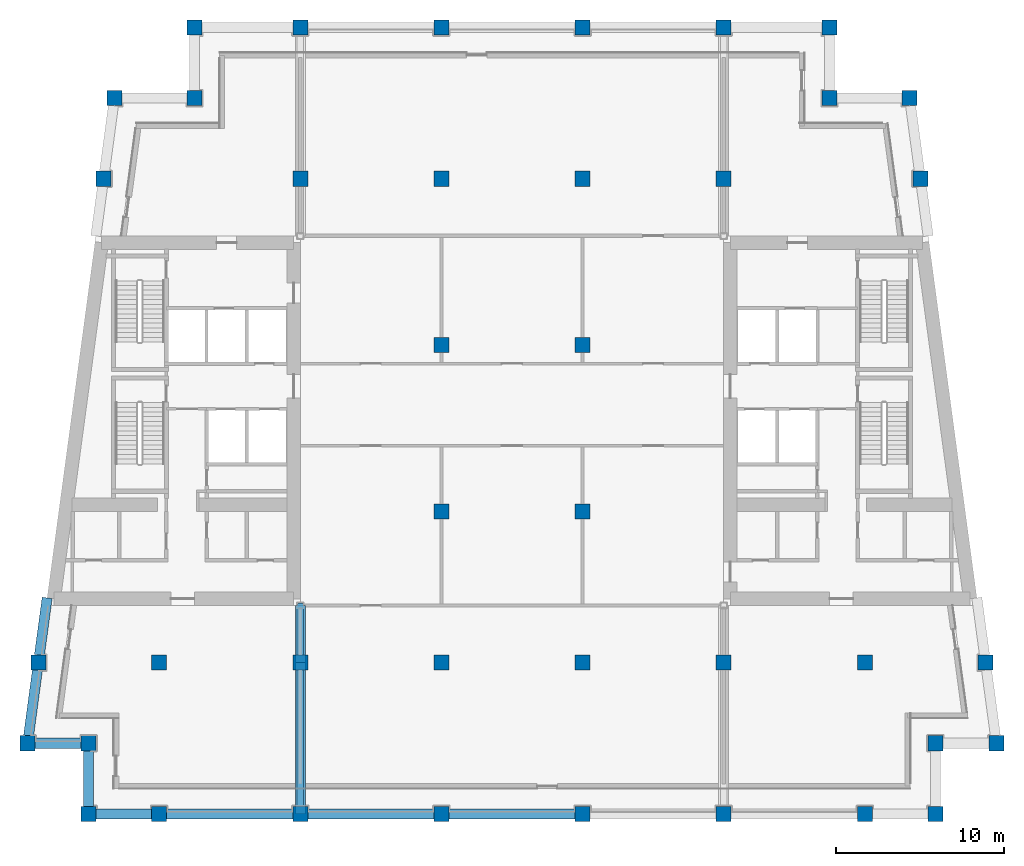
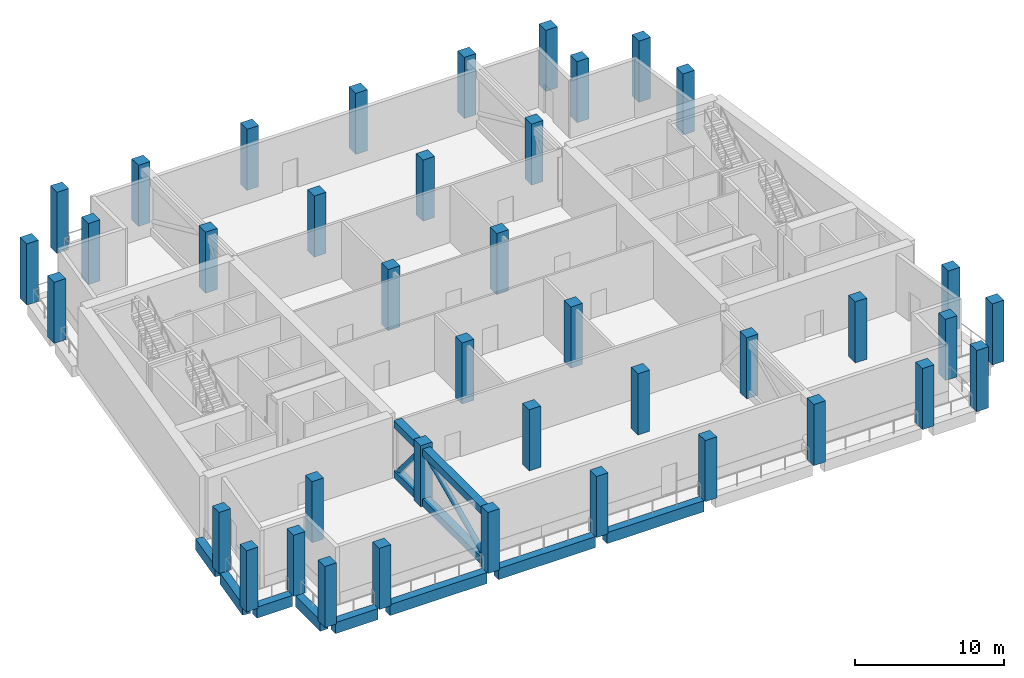
# One storey, part 1 of 11: 40 columns, 8 beams, 6 members.
"""IFC4 building model written with IfcOpenShell, lengths in metres."""

from ifc_helpers import new_model, si_unit, direction, frame, origin, origin_2d, place, context, subcontext, project, spatial, rectangle, hollow_rectangle, hollow_circle, extrude, material, material_profile, profile_set, type_object, element, save


model = new_model("IFC4")

# Units and contexts
model_context = context("Model", 3, precision=1e-05, world=origin(), true_north=direction((0.0, 1.0)))
body_context = subcontext(model_context, "Body", "Model", "MODEL_VIEW")
ifc_project = project(units=[si_unit("LENGTHUNIT", "METRE"), si_unit("AREAUNIT", "SQUARE_METRE"), si_unit("VOLUMEUNIT", "CUBIC_METRE"), si_unit("PLANEANGLEUNIT", "RADIAN"), si_unit("MASSUNIT", "GRAM", prefix="KILO")], contexts=[model_context])

# Site, building, storey
site_placement = place(None, origin())
site = spatial("IfcSite", under=ifc_project, at=site_placement, CompositionType="ELEMENT")
building_placement = place(site_placement, origin())
building = spatial("IfcBuilding", under=site, at=building_placement, Name="Candeia Pilgrim Tower and Theatre", CompositionType="ELEMENT")
storey_placement = place(building_placement, frame((0.0, 0.0, 254.0)))
storey = spatial("IfcBuildingStorey", under=building, at=storey_placement, Name="L61", CompositionType="ELEMENT", Elevation=254.0)

# Columns
ifc_material_1 = material(Name="Concrete C50/60", Category="concrete")
ifc_material_profile_1 = material_profile(ifc_material_1, rectangle(XDim=0.89990234375, YDim=0.89990234375, at=origin_2d()))
ifc_profile_set_1 = profile_set([ifc_material_profile_1], Name="Concrete C50/60")
column_type = type_object("IfcColumnType", Name="RC 900x900 C50/60", PredefinedType="COLUMN", material=ifc_profile_set_1)
for number, where, z_axis, x_axis, name in (
    (1, (92.39990234375, 98.0, 0.0), (0.0, 0.0, 1.0), (1.0, 0.0, 0.0), "Column A1"),
    (2, (100.800048828125, 98.0, 0.0), (0.0, 0.0, 1.0), (1.0, 0.0, 0.0), "Column A2"),
    (3, (109.199951171875, 98.0, 0.0), (0.0, 0.0, 1.0), (1.0, 0.0, 0.0), "Column A3"),
    (4, (117.60009765625, 98.0, 0.0), (0.0, 0.0, 1.0), (1.0, 0.0, 0.0), "Column A4"),
    (5, (126.0, 98.0, 0.0), (0.0, 0.0, 1.0), (1.0, 0.0, 0.0), "Column A5"),
    (6, (134.39990234375, 98.0, 0.0), (0.0, 0.0, 1.0), (1.0, 0.0, 0.0), "Column A6"),
    (7, (88.199951171875, 98.0, 0.0), (0.0, 0.0, 1.0), (1.0, 0.0, 0.0), "Column AW"),
    (8, (138.60009765625, 98.0, 0.0), (0.0, 0.0, 1.0), (1.0, 0.0, 0.0), "Column AE"),
    (9, (88.199951171875, 102.199951171875, 0.0), (0.0, 0.0, 1.0), (1.0, 0.0, 0.0), "Column NSW"),
    (10, (138.60009765625, 102.199951171875, 0.0), (0.0, 0.0, 1.0), (1.0, 0.0, 0.0), "Column NSE"),
    (11, (94.5, 140.60009765625, 0.0), (0.0, 0.0, 1.0), (1.0, 0.0, 0.0), "Column NNW"),
    (12, (132.300048828125, 140.60009765625, 0.0), (0.0, 0.0, 1.0), (1.0, 0.0, 0.0), "Column NNE"),
    (13, (84.5654296875, 102.199951171875, 0.0), (0.0, 0.0, 1.0), (1.0, 0.0, 0.0), "Column LSW"),
    (14, (142.234619140625, 102.199951171875, 0.0), (0.0, 0.0, 1.0), (1.0, 0.0, 0.0), "Column LSE"),
    (15, (89.734619140625, 140.60009765625, 0.0), (0.0, 0.0, 1.0), (1.0, 0.0, 0.0), "Column LNW"),
    (16, (137.0654296875, 140.60009765625, 0.0), (0.0, 0.0, 1.0), (1.0, 0.0, 0.0), "Column LNE"),
    (17, (92.39990234375, 107.0, 0.0), (0.0, 0.0, 1.0), (1.0, 0.0, 0.0), "Column B1"),
    (18, (100.800048828125, 107.0, 0.0), (0.0, 0.0, 1.0), (1.0, 0.0, 0.0), "Column B2"),
    (19, (109.199951171875, 107.0, 0.0), (0.0, 0.0, 1.0), (1.0, 0.0, 0.0), "Column B3"),
    (20, (117.60009765625, 107.0, 0.0), (0.0, 0.0, 1.0), (1.0, 0.0, 0.0), "Column B4"),
    (21, (126.0, 107.0, 0.0), (0.0, 0.0, 1.0), (1.0, 0.0, 0.0), "Column B5"),
    (22, (134.39990234375, 107.0, 0.0), (0.0, 0.0, 1.0), (1.0, 0.0, 0.0), "Column B6"),
    (23, (85.21142578125, 107.0, 0.0), (0.0, 0.0, 1.0), (1.0, 0.0, 0.0), "Column BW"),
    (24, (141.58837890625, 107.0, 0.0), (0.0, 0.0, 1.0), (1.0, 0.0, 0.0), "Column BE"),
    (25, (109.199951171875, 116.0, 0.0), (0.0, 0.0, 1.0), (1.0, 0.0, 0.0), "Column C3"),
    (26, (117.60009765625, 116.0, 0.0), (0.0, 0.0, 1.0), (1.0, 0.0, 0.0), "Column C4"),
    (27, (109.199951171875, 125.89990234375, 0.0), (0.0, 0.0, 1.0), (1.0, 0.0, 0.0), "Column D3"),
    (28, (117.60009765625, 125.89990234375, 0.0), (0.0, 0.0, 1.0), (1.0, 0.0, 0.0), "Column D4"),
    (29, (100.800048828125, 135.800048828125, 0.0), (0.0, 0.0, 1.0), (1.0, 0.0, 0.0), "Column E2"),
    (30, (109.199951171875, 135.800048828125, 0.0), (0.0, 0.0, 1.0), (1.0, 0.0, 0.0), "Column E3"),
    (31, (117.60009765625, 135.800048828125, 0.0), (0.0, 0.0, 1.0), (1.0, 0.0, 0.0), "Column E4"),
    (32, (126.0, 135.800048828125, 0.0), (0.0, 0.0, 1.0), (1.0, 0.0, 0.0), "Column E5"),
    (33, (89.08837890625, 135.800048828125, 0.0), (0.0, 0.0, 1.0), (1.0, 0.0, 0.0), "Column EW"),
    (34, (137.71142578125, 135.800048828125, 0.0), (0.0, 0.0, 1.0), (1.0, 0.0, 0.0), "Column EE"),
    (35, (100.800048828125, 144.800048828125, 0.0), (0.0, 0.0, 1.0), (1.0, 0.0, 0.0), "Column F2"),
    (36, (109.199951171875, 144.800048828125, 0.0), (0.0, 0.0, 1.0), (1.0, 0.0, 0.0), "Column F3"),
    (37, (117.60009765625, 144.800048828125, 0.0), (0.0, 0.0, 1.0), (1.0, 0.0, 0.0), "Column F4"),
    (38, (126.0, 144.800048828125, 0.0), (0.0, 0.0, 1.0), (1.0, 0.0, 0.0), "Column F5"),
    (39, (94.5, 144.800048828125, 0.0), (0.0, 0.0, 1.0), (1.0, 0.0, 0.0), "Column FW"),
    (40, (132.300048828125, 144.800048828125, 0.0), (0.0, 0.0, 1.0), (1.0, 0.0, 0.0), "Column FE"),
):
    element("IfcColumn", number, at=place(storey_placement, frame(where, z_axis=z_axis, x_axis=x_axis)), inside=storey, type_object=column_type, Name=name, PredefinedType="COLUMN", context=body_context, shape_type="SweptSolid", body=[
        extrude(rectangle(XDim=0.89990234375, YDim=0.89990234375, at=origin_2d()), origin(), (0.0, 0.0, 1.0), 5.0),
    ])

# Members
ifc_material_2 = material(Name="Structural steel ASTM A572 Grade 50", Category="steel")
ifc_material_profile_2 = material_profile(ifc_material_2, hollow_rectangle(XDim=0.60009765625, YDim=0.60009765625, WallThickness=0.0400390625, at=origin_2d()))
ifc_profile_set_2 = profile_set([ifc_material_profile_2], Name="Structural steel ASTM A572 Grade 50")
member_type_1 = type_object("IfcMemberType", Name="BOX 600x600x40 chord", PredefinedType="CHORD", material=ifc_profile_set_2)
for number, where, z_axis, x_axis, name in (
    (41, (100.800048828125, 110.39990234375, 0.300048828125), (0.0, -1.0, 0.0), (1.0, 0.0, 0.0), "Outrigger truss bottom chord TO2SL61"),
    (42, (100.800048828125, 110.39990234375, 4.3798828125), (0.0, -1.0, 0.0), (1.0, 0.0, 0.0), "Outrigger truss top chord TO2SL61"),
):
    element("IfcMember", number, at=place(storey_placement, frame(where, z_axis=z_axis, x_axis=x_axis)), inside=storey, type_object=member_type_1, Name=name, PredefinedType="CHORD", context=body_context, shape_type="SweptSolid", body=[
        extrude(hollow_rectangle(XDim=0.60009765625, YDim=0.60009765625, WallThickness=0.0400390625, at=origin_2d()), origin(), (0.0, 0.0, 1.0), 3.39990234375),
    ])
for number, where, z_axis, x_axis, name in (
    (43, (100.800048828125, 107.0, 0.300048828125), (0.0, -1.0, 0.0), (1.0, 0.0, 0.0), "Outrigger truss bottom chord TO2SL61"),
    (44, (100.800048828125, 107.0, 4.3798828125), (0.0, -1.0, 0.0), (1.0, 0.0, 0.0), "Outrigger truss top chord TO2SL61"),
):
    element("IfcMember", number, at=place(storey_placement, frame(where, z_axis=z_axis, x_axis=x_axis)), inside=storey, type_object=member_type_1, Name=name, PredefinedType="CHORD", context=body_context, shape_type="SweptSolid", body=[
        extrude(hollow_rectangle(XDim=0.60009765625, YDim=0.60009765625, WallThickness=0.0400390625, at=origin_2d()), origin(), (0.0, 0.0, 1.0), 9.0),
    ])
ifc_material_profile_3 = material_profile(ifc_material_2, hollow_circle(Radius=0.203125, WallThickness=0.01611328125, at=origin_2d()))
ifc_profile_set_3 = profile_set([ifc_material_profile_3], Name="Structural steel ASTM A572 Grade 50")
member_type_2 = type_object("IfcMemberType", Name="CHS 406x16 brace", PredefinedType="BRACE", material=ifc_profile_set_3)
member_1_placement = place(storey_placement, frame((100.800048828125, 110.39990234375, 0.300048828125), z_axis=(0.0, -0.640188921368, 0.768217511488), x_axis=(1.0, 0.0, 0.0)))
element("IfcMember", 45, at=member_1_placement, inside=storey, type_object=member_type_2, Name="Outrigger truss diagonal TO2SL61", PredefinedType="BRACE", context=body_context, shape_type="SweptSolid", body=[
    extrude(hollow_circle(Radius=0.203125, WallThickness=0.01611328125, at=origin_2d()), origin(), (0.0, 0.0, 1.0), 5.310791015625),
])
member_2_placement = place(storey_placement, frame((100.800048828125, 98.0, 0.300048828125), z_axis=(0.0, 0.910788217597, 0.41287385808), x_axis=(-1.0, 0.0, 0.0)))
element("IfcMember", 46, at=member_2_placement, inside=storey, type_object=member_type_2, Name="Outrigger truss diagonal TO2SL61", PredefinedType="BRACE", context=body_context, shape_type="SweptSolid", body=[
    extrude(hollow_circle(Radius=0.203125, WallThickness=0.01611328125, at=origin_2d()), origin(), (0.0, 0.0, 1.0), 9.881591796875),
])

# Beams
ifc_material_profile_4 = material_profile(ifc_material_1, rectangle(XDim=0.60009765625, YDim=0.89990234375, at=origin_2d()))
ifc_profile_set_4 = profile_set([ifc_material_profile_4], Name="Concrete C50/60")
beam_type = type_object("IfcBeamType", Name="RC 600x900 C50/60", PredefinedType="BEAM", material=ifc_profile_set_4)
beam_1_placement = place(storey_placement, frame((88.64990234375, 98.0, -0.449951171875), z_axis=(1.0, 0.0, 0.0), x_axis=(0.0, 1.0, 0.0)))
element("IfcBeam", 47, at=beam_1_placement, inside=storey, type_object=beam_type, Name="Spandrel beam L61-01", PredefinedType="BEAM", context=body_context, shape_type="SweptSolid", body=[
    extrude(rectangle(XDim=0.60009765625, YDim=0.89990234375, at=origin_2d()), origin(), (0.0, 0.0, 1.0), 3.300048828125),
])
for number, where, z_axis, x_axis, name in (
    (48, (92.85009765625, 98.0, -0.449951171875), (1.0, 0.0, 0.0), (0.0, 1.0, 0.0), "Spandrel beam L61-02"),
    (49, (101.25, 98.0, -0.449951171875), (1.0, 0.0, 0.0), (0.0, 1.0, 0.0), "Spandrel beam L61-03"),
    (50, (109.64990234375, 98.0, -0.449951171875), (1.0, 0.0, 0.0), (0.0, 1.0, 0.0), "Spandrel beam L61-04"),
):
    element("IfcBeam", number, at=place(storey_placement, frame(where, z_axis=z_axis, x_axis=x_axis)), inside=storey, type_object=beam_type, Name=name, PredefinedType="BEAM", context=body_context, shape_type="SweptSolid", body=[
        extrude(rectangle(XDim=0.60009765625, YDim=0.89990234375, at=origin_2d()), origin(), (0.0, 0.0, 1.0), 7.5),
    ])
beam_2_placement = place(storey_placement, frame((85.730224609375, 110.853271484375, -0.449951171875), z_axis=(-0.133374411439, -0.99106572253, 0.0), x_axis=(0.99106572253, -0.133374411439, 0.0)))
element("IfcBeam", 51, at=beam_2_placement, inside=storey, type_object=beam_type, Name="Spandrel beam L61-25", PredefinedType="BEAM", context=body_context, shape_type="SweptSolid", body=[
    extrude(rectangle(XDim=0.60009765625, YDim=0.89990234375, at=origin_2d()), origin(), (0.0, 0.0, 1.0), 3.43408203125),
])
beam_3_placement = place(storey_placement, frame((85.15087890625, 106.550048828125, -0.449951171875), z_axis=(-0.133382716764, -0.991064604791, 0.0), x_axis=(0.991064604791, -0.133382716764, 0.0)))
element("IfcBeam", 52, at=beam_3_placement, inside=storey, type_object=beam_type, Name="Spandrel beam L61-26", PredefinedType="BEAM", context=body_context, shape_type="SweptSolid", body=[
    extrude(rectangle(XDim=0.60009765625, YDim=0.89990234375, at=origin_2d()), origin(), (0.0, 0.0, 1.0), 3.935302734375),
])
beam_4_placement = place(storey_placement, frame((85.015380859375, 102.199951171875, -0.449951171875), z_axis=(1.0, 0.0, 0.0), x_axis=(0.0, 1.0, 0.0)))
element("IfcBeam", 53, at=beam_4_placement, inside=storey, type_object=beam_type, Name="Spandrel beam L61-27", PredefinedType="BEAM", context=body_context, shape_type="SweptSolid", body=[
    extrude(rectangle(XDim=0.60009765625, YDim=0.89990234375, at=origin_2d()), origin(), (0.0, 0.0, 1.0), 2.734619140625),
])
beam_5_placement = place(storey_placement, frame((88.199951171875, 101.75, -0.449951171875), z_axis=(0.0, -1.0, 0.0), x_axis=(1.0, 0.0, 0.0)))
element("IfcBeam", 54, at=beam_5_placement, inside=storey, type_object=beam_type, Name="Spandrel beam L61-28", PredefinedType="BEAM", context=body_context, shape_type="SweptSolid", body=[
    extrude(rectangle(XDim=0.60009765625, YDim=0.89990234375, at=origin_2d()), origin(), (0.0, 0.0, 1.0), 3.300048828125),
])

save(model, "model.ifc")
